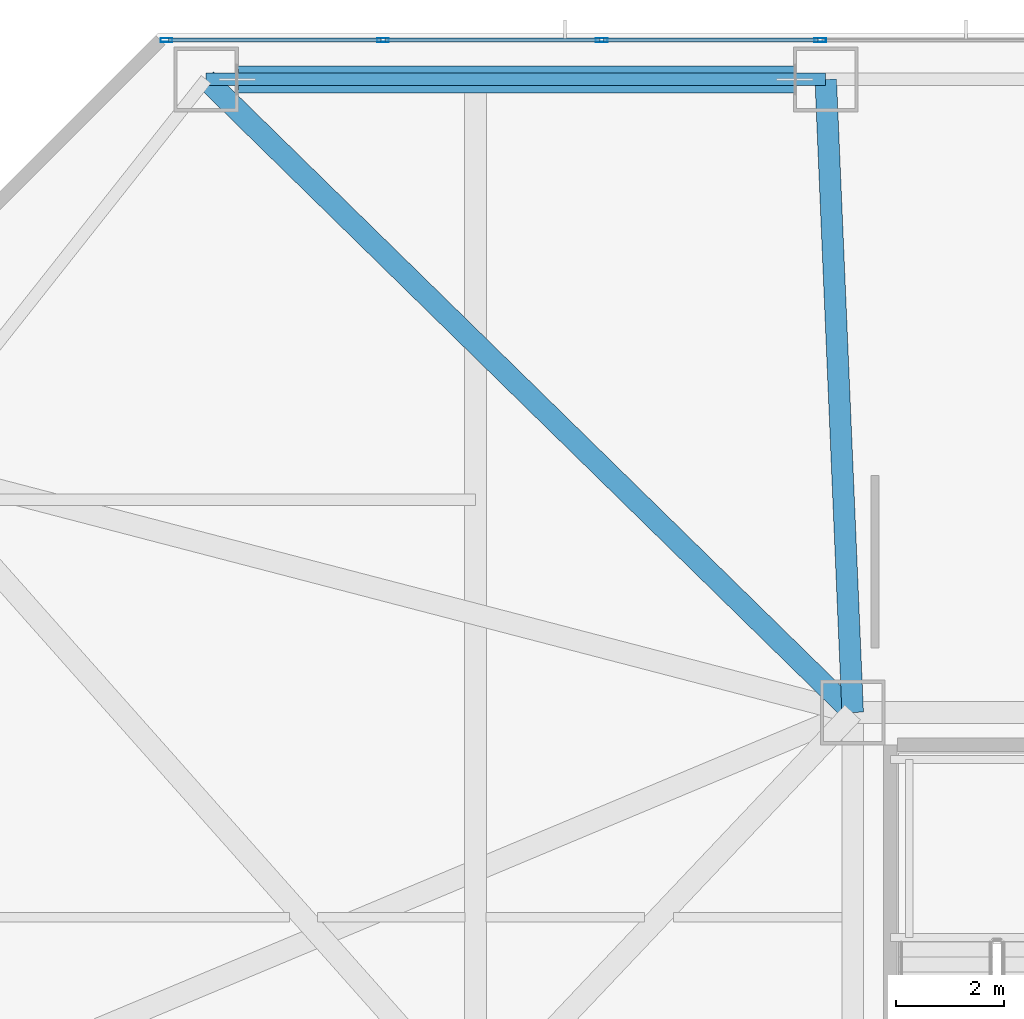
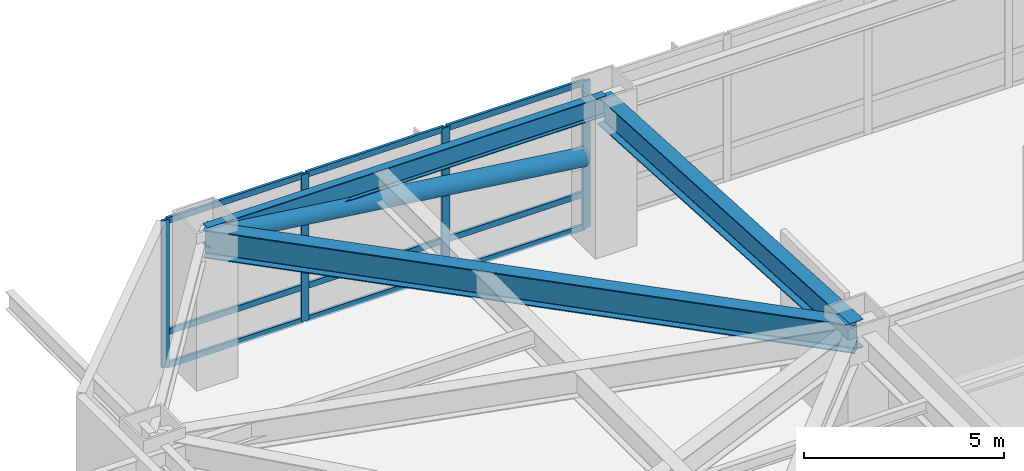
# One storey, part 10 of 33: 14 members, 3 beams, 1 element without a shape of its own.
"""IFC4 building model written with IfcOpenShell, lengths in metres."""

from ifc_helpers import new_model, si_unit, direction, frame, origin, origin_2d, place, context, subcontext, project, spatial, hollow_rectangle, hollow_circle, i_section, extrude, material, material_profile, profile_set, type_object, element, aggregate, save


model = new_model("IFC4")

# Units and contexts
model_context = context("Model", 3, precision=1e-05, world=origin(), true_north=direction((0.0, 1.0)))
body_context = subcontext(model_context, "Body", "Model", "MODEL_VIEW")
ifc_project = project(units=[si_unit("LENGTHUNIT", "METRE"), si_unit("AREAUNIT", "SQUARE_METRE"), si_unit("VOLUMEUNIT", "CUBIC_METRE"), si_unit("PLANEANGLEUNIT", "RADIAN"), si_unit("MASSUNIT", "GRAM", prefix="KILO")], contexts=[model_context])

# Site, building, storey
site_placement = place(None, origin())
site = spatial("IfcSite", under=ifc_project, at=site_placement, CompositionType="ELEMENT")
building_placement = place(site_placement, origin())
building = spatial("IfcBuilding", under=site, at=building_placement, Name="Khamvora Tower", CompositionType="ELEMENT")
storey_placement = place(building_placement, frame((0.0, 0.0, 7.199951171875)))
storey = spatial("IfcBuildingStorey", under=building, at=storey_placement, Name="L01", CompositionType="ELEMENT", Elevation=7.199951171875)

# Beams
ifc_material_1 = material(Name="Steel S355", Category="steel")
ifc_material_profile_1 = material_profile(ifc_material_1, i_section(OverallWidth=0.39990234375, OverallDepth=0.85498046875, WebThickness=0.01806640625, FlangeThickness=0.029052734375, FilletRadius=0.01806640625, at=origin_2d()), Name="W840x299")
ifc_profile_set_1 = profile_set([ifc_material_profile_1], Name="Steel S355")
beam_type_1 = type_object("IfcBeamType", Name="BM-PG-W840x299", PredefinedType="BEAM", material=ifc_profile_set_1)
beam_1_placement = place(storey_placement, frame((18.5, 43.39990234375, 4.052001953125), z_axis=(-0.714510426493, 0.699624792608, 0.0), x_axis=(-0.699624792608, -0.714510426493, 0.0)))
element("IfcBeam", 1, at=beam_1_placement, inside=storey, type_object=beam_type_1, Name="L01 primary floor girder P05", PredefinedType="BEAM", context=body_context, shape_type="SweptSolid", body=[
    extrude(i_section(OverallWidth=0.39990234375, OverallDepth=0.85498046875, WebThickness=0.01806640625, FlangeThickness=0.029052734375, FilletRadius=0.01806640625, at=origin_2d()), origin(), (0.0, 0.0, 1.0), 16.794677734375),
])
beam_2_placement = place(storey_placement, frame((18.5, 43.39990234375, 4.052001953125), z_axis=(-0.042514716625, 0.999095840683, 0.0), x_axis=(-0.999095840683, -0.042514716625, 0.0)))
element("IfcBeam", 2, at=beam_2_placement, inside=storey, type_object=beam_type_1, Name="L01 primary floor girder P06", PredefinedType="BEAM", context=body_context, shape_type="SweptSolid", body=[
    extrude(i_section(OverallWidth=0.39990234375, OverallDepth=0.85498046875, WebThickness=0.01806640625, FlangeThickness=0.029052734375, FilletRadius=0.01806640625, at=origin_2d()), origin(), (0.0, 0.0, 1.0), 11.7607421875),
])
ifc_material_profile_2 = material_profile(ifc_material_1, i_section(OverallWidth=0.22998046875, OverallDepth=0.616943359375, WebThickness=0.012939453125, FlangeThickness=0.02197265625, FilletRadius=0.013916015625, at=origin_2d()), Name="W610x140")
ifc_profile_set_2 = profile_set([ifc_material_profile_2], Name="Steel S355")
beam_type_2 = type_object("IfcBeamType", Name="BM-SP-W610x140", PredefinedType="SPANDREL", material=ifc_profile_set_2)
beam_3_placement = place(storey_placement, frame((18.0, 55.14990234375, 4.171142578125), z_axis=(-1.0, 0.0, 0.0), x_axis=(0.0, -1.0, 0.0)))
element("IfcBeam", 3, at=beam_3_placement, inside=storey, type_object=beam_type_2, Name="L01 perimeter spandrel beam P06-P05", PredefinedType="SPANDREL", context=body_context, shape_type="SweptSolid", body=[
    extrude(i_section(OverallWidth=0.22998046875, OverallDepth=0.616943359375, WebThickness=0.012939453125, FlangeThickness=0.02197265625, FilletRadius=0.013916015625, at=origin_2d()), origin(), (0.0, 0.0, 1.0), 11.5),
])

# Curtain wall, members
ifc_material_2 = material(Name="Anodised Aluminium 6063-T6", Category="aluminium")
curtain_wall_type = type_object("IfcCurtainWallType", Name="CW-SYS-01", PredefinedType="NOTDEFINED", material=ifc_material_2)
curtain_wall_placement = place(storey_placement, origin())
curtain_wall = element("IfcCurtainWall", 4, at=curtain_wall_placement, inside=storey, type_object=curtain_wall_type, Name="L01 stick curtain wall 07.1", PredefinedType="NOTDEFINED")
ifc_material_profile_3 = material_profile(ifc_material_2, hollow_rectangle(XDim=0.074951171875, YDim=0.219970703125, WallThickness=0.0048828125, at=origin_2d()), Name="MUL75x220x5")
ifc_profile_set_3 = profile_set([ifc_material_profile_3], Name="Anodised Aluminium 6063-T6")
member_type_1 = type_object("IfcMemberType", Name="CW-SYS-01-MUL", PredefinedType="MULLION", material=ifc_profile_set_3)
member_1_placement = place(storey_placement, frame((5.764404296875, 55.8798828125, 0.0), z_axis=(0.0, 0.0, 1.0), x_axis=(0.0, 1.0, 0.0)))
member_1 = element("IfcMember", 5, at=member_1_placement, type_object=member_type_1, Name="CW-01 mullion 1", PredefinedType="MULLION", context=body_context, shape_type="SweptSolid", body=[
    extrude(hollow_rectangle(XDim=0.074951171875, YDim=0.219970703125, WallThickness=0.0048828125, at=origin_2d()), origin(), (0.0, 0.0, 1.0), 4.47998046875),
])
member_2_placement = place(storey_placement, frame((9.78369140625, 55.8798828125, 0.0), z_axis=(0.0, 0.0, 1.0), x_axis=(0.0, 1.0, 0.0)))
member_2 = element("IfcMember", 6, at=member_2_placement, type_object=member_type_1, Name="CW-01 mullion 2", PredefinedType="MULLION", context=body_context, shape_type="SweptSolid", body=[
    extrude(hollow_rectangle(XDim=0.074951171875, YDim=0.219970703125, WallThickness=0.0048828125, at=origin_2d()), origin(), (0.0, 0.0, 1.0), 4.47998046875),
])
member_3_placement = place(storey_placement, frame((13.84033203125, 55.8798828125, 0.0), z_axis=(0.0, 0.0, 1.0), x_axis=(0.0, 1.0, 0.0)))
member_3 = element("IfcMember", 7, at=member_3_placement, type_object=member_type_1, Name="CW-01 mullion 3", PredefinedType="MULLION", context=body_context, shape_type="SweptSolid", body=[
    extrude(hollow_rectangle(XDim=0.074951171875, YDim=0.219970703125, WallThickness=0.0048828125, at=origin_2d()), origin(), (0.0, 0.0, 1.0), 4.47998046875),
])
member_4_placement = place(storey_placement, frame((17.89697265625, 55.8798828125, 0.0), z_axis=(0.0, 0.0, 1.0), x_axis=(0.0, 1.0, 0.0)))
member_4 = element("IfcMember", 8, at=member_4_placement, type_object=member_type_1, Name="CW-01 mullion 4", PredefinedType="MULLION", context=body_context, shape_type="SweptSolid", body=[
    extrude(hollow_rectangle(XDim=0.074951171875, YDim=0.219970703125, WallThickness=0.0048828125, at=origin_2d()), origin(), (0.0, 0.0, 1.0), 4.47998046875),
])
ifc_material_profile_4 = material_profile(ifc_material_2, hollow_rectangle(XDim=0.074951171875, YDim=0.179931640625, WallThickness=0.0048828125, at=origin_2d()), Name="TRN75x180x5")
ifc_profile_set_4 = profile_set([ifc_material_profile_4], Name="Anodised Aluminium 6063-T6")
member_type_2 = type_object("IfcMemberType", Name="CW-SYS-01-TRN", PredefinedType="USERDEFINED", material=ifc_profile_set_4)
member_5_placement = place(storey_placement, frame((5.802001953125, 55.8798828125, 0.03759765625), z_axis=(1.0, 0.0, 0.0), x_axis=(0.0, 1.0, 0.0)))
member_5 = element("IfcMember", 9, at=member_5_placement, type_object=member_type_2, Name="CW-01 transom 1.1", ObjectType="TRANSOM", PredefinedType="USERDEFINED", context=body_context, shape_type="SweptSolid", body=[
    extrude(hollow_rectangle(XDim=0.074951171875, YDim=0.179931640625, WallThickness=0.0048828125, at=origin_2d()), origin(), (0.0, 0.0, 1.0), 3.944091796875),
])
member_6_placement = place(storey_placement, frame((5.802001953125, 55.8798828125, 1.050048828125), z_axis=(1.0, 0.0, 0.0), x_axis=(0.0, 1.0, 0.0)))
member_6 = element("IfcMember", 10, at=member_6_placement, type_object=member_type_2, Name="CW-01 transom 1.2", ObjectType="TRANSOM", PredefinedType="USERDEFINED", context=body_context, shape_type="SweptSolid", body=[
    extrude(hollow_rectangle(XDim=0.074951171875, YDim=0.179931640625, WallThickness=0.0048828125, at=origin_2d()), origin(), (0.0, 0.0, 1.0), 3.944091796875),
])
member_7_placement = place(storey_placement, frame((5.802001953125, 55.8798828125, 4.442626953125), z_axis=(1.0, 0.0, 0.0), x_axis=(0.0, 1.0, 0.0)))
member_7 = element("IfcMember", 11, at=member_7_placement, type_object=member_type_2, Name="CW-01 transom 1.3", ObjectType="TRANSOM", PredefinedType="USERDEFINED", context=body_context, shape_type="SweptSolid", body=[
    extrude(hollow_rectangle(XDim=0.074951171875, YDim=0.179931640625, WallThickness=0.0048828125, at=origin_2d()), origin(), (0.0, 0.0, 1.0), 3.944091796875),
])
member_8_placement = place(storey_placement, frame((9.821044921875, 55.8798828125, 0.03759765625), z_axis=(1.0, 0.0, 0.0), x_axis=(0.0, 1.0, 0.0)))
member_8 = element("IfcMember", 12, at=member_8_placement, type_object=member_type_2, Name="CW-01 transom 2.1", ObjectType="TRANSOM", PredefinedType="USERDEFINED", context=body_context, shape_type="SweptSolid", body=[
    extrude(hollow_rectangle(XDim=0.074951171875, YDim=0.179931640625, WallThickness=0.0048828125, at=origin_2d()), origin(), (0.0, 0.0, 1.0), 3.981689453125),
])
member_9_placement = place(storey_placement, frame((9.821044921875, 55.8798828125, 1.050048828125), z_axis=(1.0, 0.0, 0.0), x_axis=(0.0, 1.0, 0.0)))
member_9 = element("IfcMember", 13, at=member_9_placement, type_object=member_type_2, Name="CW-01 transom 2.2", ObjectType="TRANSOM", PredefinedType="USERDEFINED", context=body_context, shape_type="SweptSolid", body=[
    extrude(hollow_rectangle(XDim=0.074951171875, YDim=0.179931640625, WallThickness=0.0048828125, at=origin_2d()), origin(), (0.0, 0.0, 1.0), 3.981689453125),
])
member_10_placement = place(storey_placement, frame((9.821044921875, 55.8798828125, 4.442626953125), z_axis=(1.0, 0.0, 0.0), x_axis=(0.0, 1.0, 0.0)))
member_10 = element("IfcMember", 14, at=member_10_placement, type_object=member_type_2, Name="CW-01 transom 2.3", ObjectType="TRANSOM", PredefinedType="USERDEFINED", context=body_context, shape_type="SweptSolid", body=[
    extrude(hollow_rectangle(XDim=0.074951171875, YDim=0.179931640625, WallThickness=0.0048828125, at=origin_2d()), origin(), (0.0, 0.0, 1.0), 3.981689453125),
])
member_11_placement = place(storey_placement, frame((13.877685546875, 55.8798828125, 0.03759765625), z_axis=(1.0, 0.0, 0.0), x_axis=(0.0, 1.0, 0.0)))
member_11 = element("IfcMember", 15, at=member_11_placement, type_object=member_type_2, Name="CW-01 transom 3.1", ObjectType="TRANSOM", PredefinedType="USERDEFINED", context=body_context, shape_type="SweptSolid", body=[
    extrude(hollow_rectangle(XDim=0.074951171875, YDim=0.179931640625, WallThickness=0.0048828125, at=origin_2d()), origin(), (0.0, 0.0, 1.0), 3.981689453125),
])
member_12_placement = place(storey_placement, frame((13.877685546875, 55.8798828125, 1.050048828125), z_axis=(1.0, 0.0, 0.0), x_axis=(0.0, 1.0, 0.0)))
member_12 = element("IfcMember", 16, at=member_12_placement, type_object=member_type_2, Name="CW-01 transom 3.2", ObjectType="TRANSOM", PredefinedType="USERDEFINED", context=body_context, shape_type="SweptSolid", body=[
    extrude(hollow_rectangle(XDim=0.074951171875, YDim=0.179931640625, WallThickness=0.0048828125, at=origin_2d()), origin(), (0.0, 0.0, 1.0), 3.981689453125),
])
member_13_placement = place(storey_placement, frame((13.877685546875, 55.8798828125, 4.442626953125), z_axis=(1.0, 0.0, 0.0), x_axis=(0.0, 1.0, 0.0)))
member_13 = element("IfcMember", 17, at=member_13_placement, type_object=member_type_2, Name="CW-01 transom 3.3", ObjectType="TRANSOM", PredefinedType="USERDEFINED", context=body_context, shape_type="SweptSolid", body=[
    extrude(hollow_rectangle(XDim=0.074951171875, YDim=0.179931640625, WallThickness=0.0048828125, at=origin_2d()), origin(), (0.0, 0.0, 1.0), 3.981689453125),
])
aggregate(curtain_wall, [member_1, member_2, member_3, member_4, member_5, member_6, member_7, member_8, member_9, member_10, member_11, member_12, member_13])

# Member
ifc_material_3 = material(Name="Steel S460", Category="steel")
ifc_material_profile_5 = material_profile(ifc_material_3, hollow_circle(Radius=0.25390625, WallThickness=0.02490234375, at=origin_2d()), Name="CHS508x25")
ifc_profile_set_5 = profile_set([ifc_material_profile_5], Name="Steel S460")
member_type_3 = type_object("IfcMemberType", Name="MEM-BR-CHS508", PredefinedType="BRACE", material=ifc_profile_set_5)
member_14_placement = place(storey_placement, frame((17.425048828125, 55.14990234375, 2.755126953125), z_axis=(-0.991712996573, 0.0, 0.128473080558), x_axis=(0.0, -1.0, 0.0)))
element("IfcMember", 18, at=member_14_placement, inside=storey, type_object=member_type_3, Name="L01 perimeter wind brace 3", PredefinedType="BRACE", context=body_context, shape_type="SweptSolid", body=[
    extrude(hollow_circle(Radius=0.25390625, WallThickness=0.02490234375, at=origin_2d()), origin(), (0.0, 0.0, 1.0), 10.4365234375),
])

save(model, "model.ifc")
